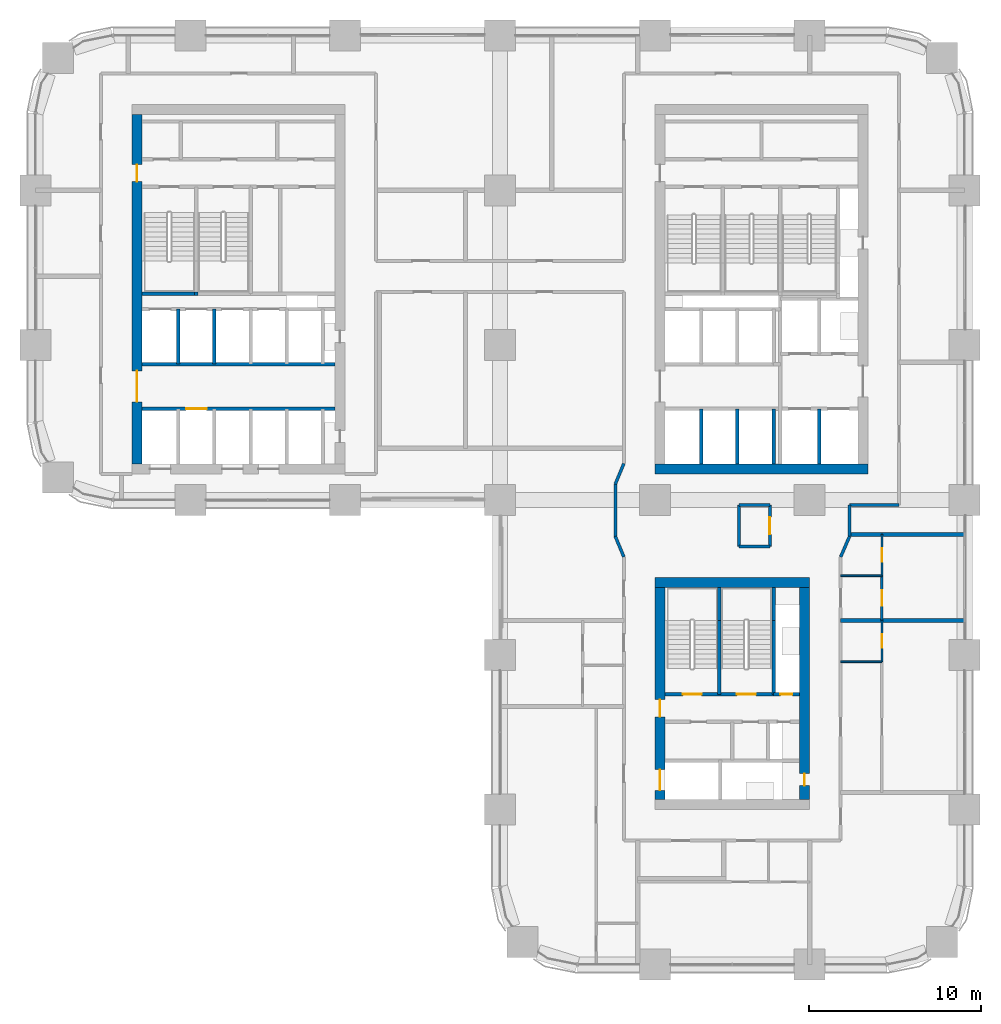
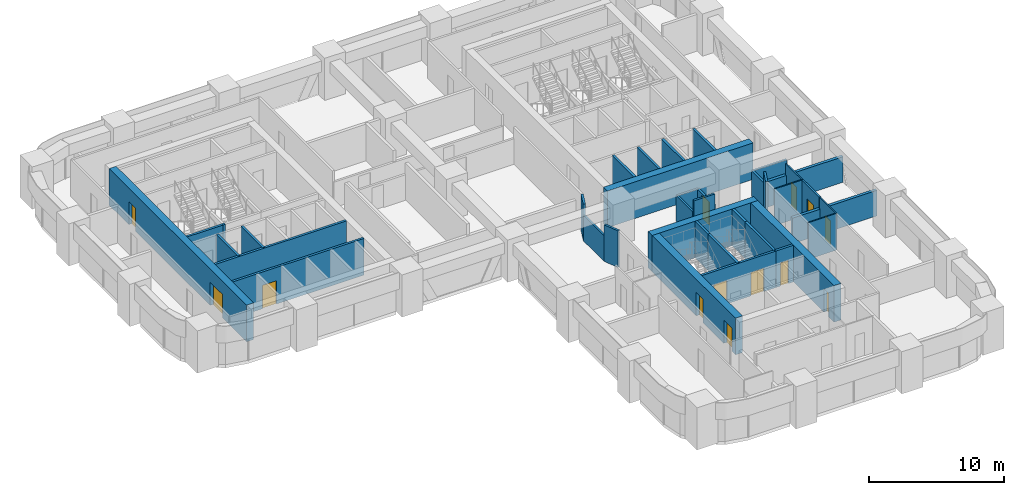
# One storey, part 14 of 20: 38 walls, 13 doors, 13 openings.
"""IFC4 building model written with IfcOpenShell, lengths in metres."""

from ifc_helpers import new_model, si_unit, direction, frame, frame_2d, origin, place, context, subcontext, project, spatial, rectangle, extrude, material, layer, layer_set, type_object, element, fill, save


model = new_model("IFC4")

# Units and contexts
model_context = context("Model", 3, precision=1e-05, world=origin(), true_north=direction((0.0, 1.0)))
body_context = subcontext(model_context, "Body", "Model", "MODEL_VIEW")
ifc_project = project(units=[si_unit("LENGTHUNIT", "METRE"), si_unit("AREAUNIT", "SQUARE_METRE"), si_unit("VOLUMEUNIT", "CUBIC_METRE"), si_unit("PLANEANGLEUNIT", "RADIAN"), si_unit("MASSUNIT", "GRAM", prefix="KILO")], contexts=[model_context])

# Site, building, storey
site_placement = place(None, origin())
site = spatial("IfcSite", under=ifc_project, at=site_placement, CompositionType="ELEMENT")
building_placement = place(site_placement, origin())
building = spatial("IfcBuilding", under=site, at=building_placement, Name="Tessera Arch", CompositionType="ELEMENT")
storey_placement = place(building_placement, frame((0.0, 0.0, 119.60009765625)))
storey = spatial("IfcBuildingStorey", under=building, at=storey_placement, Name="L28", CompositionType="ELEMENT", Elevation=119.60009765625)

# Wall
ifc_material_1 = material(Name="Concrete C70/85", Category="concrete")
ifc_layer_1 = layer(ifc_material_1, 0.60009765625)
ifc_layer_set_1 = layer_set([ifc_layer_1], Name="Core shell wall 600 C70-85")
wall_type_1 = type_object("IfcWallType", Name="Core shell wall 600 C70-85", PredefinedType="SHEAR", material=ifc_layer_set_1)
wall_1_placement = place(storey_placement, frame((36.0, 28.800048828125, 0.0), z_axis=(0.0, 0.0, 1.0), x_axis=(1.0, 0.0, 0.0)))
element("IfcWall", 1, at=wall_1_placement, inside=storey, type_object=wall_type_1, Name="L28 C1 core wall S", PredefinedType="SHEAR", context=body_context, shape_type="SweptSolid", body=[
    extrude(rectangle(XDim=12.39990234375, YDim=0.60009765625, at=frame_2d((6.199951171875, 0.0))), origin(), (0.0, 0.0, 1.0), 3.2998046875),
])

# Wall, openings, doors
wall_2_placement = place(storey_placement, frame((5.89990234375, 29.10009765625, 0.0), z_axis=(0.0, 0.0, 1.0), x_axis=(0.0, 1.0, 0.0)))
wall_2 = element("IfcWall", 2, at=wall_2_placement, inside=storey, type_object=wall_type_1, Name="L28 C2 core wall W", PredefinedType="SHEAR", context=body_context, shape_type="SweptSolid", body=[
    extrude(rectangle(XDim=20.2998046875, YDim=0.60009765625, at=frame_2d((10.14990234375, 0.0))), origin(), (0.0, 0.0, 1.0), 3.2998046875),
])
opening_1_placement = place(wall_2_placement, frame((3.60009765625, 0.0, 0.0)))
opening_1 = element("IfcOpeningElement", 3, at=opening_1_placement, cuts=wall_2, Name="Opening L28-C24", PredefinedType="OPENING", context=body_context, shape_type="SweptSolid", body=[
    extrude(rectangle(XDim=1.800048828125, YDim=2.10009765625, at=frame_2d((0.89990234375, 1.050048828125))), frame((0.0, 0.31005859375, 0.0), z_axis=(0.0, -1.0, 0.0), x_axis=(1.0, 0.0, 0.0)), (0.0, 0.0, 1.0), 0.6201171875),
])
opening_2_placement = place(wall_2_placement, frame((16.39990234375, 0.0, 0.0)))
opening_2 = element("IfcOpeningElement", 4, at=opening_2_placement, cuts=wall_2, Name="Opening L28-C27", PredefinedType="OPENING", context=body_context, shape_type="SweptSolid", body=[
    extrude(rectangle(XDim=1.0, YDim=2.10009765625, at=frame_2d((0.5, 1.050048828125))), frame((0.0, 0.31005859375, 0.0), z_axis=(0.0, -1.0, 0.0), x_axis=(1.0, 0.0, 0.0)), (0.0, 0.0, 1.0), 0.6201171875),
])
ifc_material_2 = material(Name="Steel door leaf", Category="steel")
door_type_1 = type_object("IfcDoorType", Name="Corridor door FD60 1000 x 2100", OperationType="SINGLE_SWING_LEFT", PredefinedType="DOOR", material=ifc_material_2)
door_1_placement = place(opening_2_placement, origin())
door_1 = element("IfcDoor", 5, at=door_1_placement, inside=storey, type_object=door_type_1, Name="L28 C2 door 14 C27 type D12", OperationType="SINGLE_SWING_RIGHT", OverallHeight=2.10009765625, OverallWidth=1.0, PredefinedType="DOOR", context=body_context, shape_type="SweptSolid", body=[
    extrude(rectangle(XDim=1.0, YDim=2.10009765625, at=frame_2d((0.5, 1.050048828125))), frame((0.0, 0.02490234375, 0.0), z_axis=(0.0, -1.0, 0.0), x_axis=(1.0, 0.0, 0.0)), (0.0, 0.0, 1.0), 0.050048828125),
])
fill(opening_2, door_1)
ifc_material_3 = material(Name="Glazed steel door leaf", Category="steel")
door_type_2 = type_object("IfcDoorType", Name="Lobby double door FD30S 1800 x 2100", OperationType="DOUBLE_DOOR_SINGLE_SWING", PredefinedType="DOOR", material=ifc_material_3)
door_2_placement = place(opening_1_placement, origin())
door_2 = element("IfcDoor", 6, at=door_2_placement, inside=storey, type_object=door_type_2, Name="L28 C2 door 11 C24 type D06", OperationType="DOUBLE_DOOR_SINGLE_SWING", OverallHeight=2.10009765625, OverallWidth=1.800048828125, PredefinedType="DOOR", context=body_context, shape_type="SweptSolid", body=[
    extrude(rectangle(XDim=1.800048828125, YDim=2.10009765625, at=frame_2d((0.89990234375, 1.050048828125))), frame((0.0, 0.02490234375, 0.0), z_axis=(0.0, -1.0, 0.0), x_axis=(1.0, 0.0, 0.0)), (0.0, 0.0, 1.0), 0.050048828125),
])
fill(opening_1, door_2)

# Wall
wall_3_placement = place(storey_placement, frame((36.0, 22.199951171875, 0.0), z_axis=(0.0, 0.0, 1.0), x_axis=(1.0, 0.0, 0.0)))
element("IfcWall", 7, at=wall_3_placement, inside=storey, type_object=wall_type_1, Name="L28 C3 core wall N", PredefinedType="SHEAR", context=body_context, shape_type="SweptSolid", body=[
    extrude(rectangle(XDim=9.0, YDim=0.60009765625, at=frame_2d((4.5, 0.0))), origin(), (0.0, 0.0, 1.0), 3.2998046875),
])

# Wall, openings, doors
wall_4_placement = place(storey_placement, frame((36.300048828125, 9.60009765625, 0.0), z_axis=(0.0, 0.0, 1.0), x_axis=(0.0, 1.0, 0.0)))
wall_4 = element("IfcWall", 8, at=wall_4_placement, inside=storey, type_object=wall_type_1, Name="L28 C3 core wall W", PredefinedType="SHEAR", context=body_context, shape_type="SweptSolid", body=[
    extrude(rectangle(XDim=12.2998046875, YDim=0.60009765625, at=frame_2d((6.14990234375, 0.0))), origin(), (0.0, 0.0, 1.0), 3.2998046875),
])
opening_3_placement = place(wall_4_placement, frame((0.52490234375, 0.0, 0.0)))
opening_3 = element("IfcOpeningElement", 9, at=opening_3_placement, cuts=wall_4, Name="Opening L28-C33", PredefinedType="OPENING", context=body_context, shape_type="SweptSolid", body=[
    extrude(rectangle(XDim=1.199951171875, YDim=2.10009765625, at=frame_2d((0.60009765625, 1.050048828125))), frame((0.0, 0.31005859375, 0.0), z_axis=(0.0, -1.0, 0.0), x_axis=(1.0, 0.0, 0.0)), (0.0, 0.0, 1.0), 0.6201171875),
])
opening_4_placement = place(wall_4_placement, frame((4.800048828125, 0.0, 0.0)))
opening_4 = element("IfcOpeningElement", 10, at=opening_4_placement, cuts=wall_4, Name="Opening L28-C39", PredefinedType="OPENING", context=body_context, shape_type="SweptSolid", body=[
    extrude(rectangle(XDim=1.0, YDim=2.10009765625, at=frame_2d((0.5, 1.050048828125))), frame((0.0, 0.31005859375, 0.0), z_axis=(0.0, -1.0, 0.0), x_axis=(1.0, 0.0, 0.0)), (0.0, 0.0, 1.0), 0.6201171875),
])
door_3_placement = place(opening_4_placement, origin())
door_3 = element("IfcDoor", 11, at=door_3_placement, inside=storey, type_object=door_type_1, Name="L28 C3 door 7 C39 type D12", OperationType="SINGLE_SWING_LEFT", OverallHeight=2.10009765625, OverallWidth=1.0, PredefinedType="DOOR", context=body_context, shape_type="SweptSolid", body=[
    extrude(rectangle(XDim=1.0, YDim=2.10009765625, at=frame_2d((0.5, 1.050048828125))), frame((0.0, 0.02490234375, 0.0), z_axis=(0.0, -1.0, 0.0), x_axis=(1.0, 0.0, 0.0)), (0.0, 0.0, 1.0), 0.050048828125),
])
fill(opening_4, door_3)
ifc_material_4 = material(Name="Stainless steel AISI 304", Category="steel")
door_type_3 = type_object("IfcDoorType", Name="Sliding landing door 1200 x 2100", OperationType="SLIDING_TO_LEFT", PredefinedType="DOOR", material=ifc_material_4)
door_4_placement = place(opening_3_placement, origin())
door_4 = element("IfcDoor", 12, at=door_4_placement, inside=storey, type_object=door_type_3, Name="L28 SV1 lift landing door C33 type LD", OperationType="SLIDING_TO_LEFT", OverallHeight=2.10009765625, OverallWidth=1.199951171875, PredefinedType="DOOR", context=body_context, shape_type="SweptSolid", body=[
    extrude(rectangle(XDim=1.199951171875, YDim=2.10009765625, at=frame_2d((0.60009765625, 1.050048828125))), frame((0.0, 0.02490234375, 0.0), z_axis=(0.0, -1.0, 0.0), x_axis=(1.0, 0.0, 0.0)), (0.0, 0.0, 1.0), 0.050048828125),
])
fill(opening_3, door_4)

# Wall, opening, door
wall_5_placement = place(storey_placement, frame((44.699951171875, 9.60009765625, 0.0), z_axis=(0.0, 0.0, 1.0), x_axis=(0.0, 1.0, 0.0)))
wall_5 = element("IfcWall", 13, at=wall_5_placement, inside=storey, type_object=wall_type_1, Name="L28 C3 core wall E", PredefinedType="SHEAR", context=body_context, shape_type="SweptSolid", body=[
    extrude(rectangle(XDim=12.2998046875, YDim=0.60009765625, at=frame_2d((6.14990234375, 0.0))), origin(), (0.0, 0.0, 1.0), 3.2998046875),
])
opening_5_placement = place(wall_5_placement, frame((0.800048828125, 0.0, 0.0)))
opening_5 = element("IfcOpeningElement", 14, at=opening_5_placement, cuts=wall_5, Name="Opening L28-C38", PredefinedType="OPENING", context=body_context, shape_type="SweptSolid", body=[
    extrude(rectangle(XDim=0.699951171875, YDim=2.10009765625, at=frame_2d((0.35009765625, 1.050048828125))), frame((0.0, 0.31005859375, 0.0), z_axis=(0.0, -1.0, 0.0), x_axis=(1.0, 0.0, 0.0)), (0.0, 0.0, 1.0), 0.6201171875),
])
ifc_material_5 = material(Name="Steel door leaf", Category="steel")
door_type_4 = type_object("IfcDoorType", Name="Service shaft door FD60 700 x 2100", OperationType="SINGLE_SWING_LEFT", PredefinedType="DOOR", material=ifc_material_5)
door_5_placement = place(opening_5_placement, origin())
door_5 = element("IfcDoor", 15, at=door_5_placement, inside=storey, type_object=door_type_4, Name="L28 C3 door 6 C38 type D07", OperationType="SINGLE_SWING_LEFT", OverallHeight=2.10009765625, OverallWidth=0.699951171875, PredefinedType="DOOR", context=body_context, shape_type="SweptSolid", body=[
    extrude(rectangle(XDim=0.699951171875, YDim=2.10009765625, at=frame_2d((0.35009765625, 1.050048828125))), frame((0.0, 0.02490234375, 0.0), z_axis=(0.0, -1.0, 0.0), x_axis=(1.0, 0.0, 0.0)), (0.0, 0.0, 1.0), 0.050048828125),
])
fill(opening_5, door_5)

# Walls
ifc_material_6 = material(Name="Gypsum board on deep steel stud with mineral wool", Category="steel")
ifc_layer_2 = layer(ifc_material_6, 0.175048828125)
ifc_layer_set_2 = layer_set([ifc_layer_2], Name="Corridor wall 175 EI 60")
wall_type_2 = type_object("IfcWallType", Name="Corridor wall 175 EI 60", PredefinedType="PARTITIONING", material=ifc_layer_set_2)
wall_6_placement = place(storey_placement, frame((40.89990234375, 24.300048828125, 0.0), z_axis=(0.0, 0.0, 1.0), x_axis=(1.0, 0.0, 0.0)))
element("IfcWall", 16, at=wall_6_placement, inside=storey, type_object=wall_type_2, Name="L28 partition 2", PredefinedType="PARTITIONING", context=body_context, shape_type="SweptSolid", body=[
    extrude(rectangle(XDim=1.780029296875, YDim=0.175048828125, at=frame_2d((0.89013671875, 0.0))), origin(), (0.0, 0.0, 1.0), 3.2998046875),
])
wall_7_placement = place(storey_placement, frame((40.89990234375, 26.699951171875, 0.0), z_axis=(0.0, 0.0, 1.0), x_axis=(1.0, 0.0, 0.0)))
element("IfcWall", 17, at=wall_7_placement, inside=storey, type_object=wall_type_2, Name="L28 partition 3", PredefinedType="PARTITIONING", context=body_context, shape_type="SweptSolid", body=[
    extrude(rectangle(XDim=1.780029296875, YDim=0.175048828125, at=frame_2d((0.89013671875, 0.0))), origin(), (0.0, 0.0, 1.0), 2.2998046875),
])
wall_8_placement = place(storey_placement, frame((47.320068359375, 26.699951171875, 0.0), z_axis=(0.0, 0.0, 1.0), x_axis=(1.0, 0.0, 0.0)))
element("IfcWall", 18, at=wall_8_placement, inside=storey, type_object=wall_type_2, Name="L28 partition 4", PredefinedType="PARTITIONING", context=body_context, shape_type="SweptSolid", body=[
    extrude(rectangle(XDim=2.8798828125, YDim=0.175048828125, at=frame_2d((1.43994140625, 0.0))), origin(), (0.0, 0.0, 1.0), 2.2998046875),
])
wall_9_placement = place(storey_placement, frame((33.699951171875, 24.889892578125, 0.0), z_axis=(0.0, 0.0, 1.0), x_axis=(0.0, 1.0, 0.0)))
element("IfcWall", 19, at=wall_9_placement, inside=storey, type_object=wall_type_2, Name="L28 partition 14", PredefinedType="PARTITIONING", context=body_context, shape_type="SweptSolid", body=[
    extrude(rectangle(XDim=3.030029296875, YDim=0.175048828125, at=frame_2d((1.51513671875, 0.0))), origin(), (0.0, 0.0, 1.0), 2.2998046875),
])
wall_10_placement = place(storey_placement, frame((40.89990234375, 24.300048828125, 0.0), z_axis=(0.0, 0.0, 1.0), x_axis=(0.0, 1.0, 0.0)))
element("IfcWall", 20, at=wall_10_placement, inside=storey, type_object=wall_type_2, Name="L28 partition 18", PredefinedType="PARTITIONING", context=body_context, shape_type="SweptSolid", body=[
    extrude(rectangle(XDim=2.39990234375, YDim=0.175048828125, at=frame_2d((1.199951171875, 0.0))), origin(), (0.0, 0.0, 1.0), 2.2998046875),
])

# Wall, opening, door
wall_11_placement = place(storey_placement, frame((42.679931640625, 24.300048828125, 0.0), z_axis=(0.0, 0.0, 1.0), x_axis=(0.0, 1.0, 0.0)))
wall_11 = element("IfcWall", 21, at=wall_11_placement, inside=storey, type_object=wall_type_2, Name="L28 partition 19", PredefinedType="PARTITIONING", context=body_context, shape_type="SweptSolid", body=[
    extrude(rectangle(XDim=2.39990234375, YDim=0.175048828125, at=frame_2d((1.199951171875, 0.0))), origin(), (0.0, 0.0, 1.0), 2.2998046875),
])
opening_6_placement = place(wall_11_placement, frame((0.699951171875, 0.0, 0.0)))
opening_6 = element("IfcOpeningElement", 22, at=opening_6_placement, cuts=wall_11, Name="Opening L28-D018", PredefinedType="OPENING", context=body_context, shape_type="SweptSolid", body=[
    extrude(rectangle(XDim=1.0, YDim=2.10009765625, at=frame_2d((0.5, 1.050048828125))), frame((0.0, 0.097412109375, 0.0), z_axis=(0.0, -1.0, 0.0), x_axis=(1.0, 0.0, 0.0)), (0.0, 0.0, 1.0), 0.195068359375),
])
ifc_material_7 = material(Name="Fire-rated door leaf")
door_type_5 = type_object("IfcDoorType", Name="Entrance door FD30S 1000 x 2100", OperationType="SINGLE_SWING_LEFT", PredefinedType="DOOR", material=ifc_material_7)
door_6_placement = place(opening_6_placement, origin())
door_6 = element("IfcDoor", 23, at=door_6_placement, inside=storey, type_object=door_type_5, Name="L28 door D018 type D03", OperationType="SINGLE_SWING_RIGHT", OverallHeight=2.10009765625, OverallWidth=1.0, PredefinedType="DOOR", context=body_context, shape_type="SweptSolid", body=[
    extrude(rectangle(XDim=1.0, YDim=2.10009765625, at=frame_2d((0.5, 1.050048828125))), frame((0.0, 0.02490234375, 0.0), z_axis=(0.0, -1.0, 0.0), x_axis=(1.0, 0.0, 0.0)), (0.0, 0.0, 1.0), 0.050048828125),
])
fill(opening_6, door_6)

# Walls
wall_12_placement = place(storey_placement, frame((47.320068359375, 24.889892578125, 0.0), z_axis=(0.0, 0.0, 1.0), x_axis=(0.0, 1.0, 0.0)))
element("IfcWall", 24, at=wall_12_placement, inside=storey, type_object=wall_type_2, Name="L28 partition 21", PredefinedType="PARTITIONING", context=body_context, shape_type="SweptSolid", body=[
    extrude(rectangle(XDim=1.81005859375, YDim=0.175048828125, at=frame_2d((0.905029296875, 0.0))), origin(), (0.0, 0.0, 1.0), 2.2998046875),
])
wall_13_placement = place(storey_placement, frame((47.320068359375, 24.889892578125, 0.0), z_axis=(0.0, 0.0, 1.0), x_axis=(-0.397633632391, -0.917544273804, 0.0)))
element("IfcWall", 25, at=wall_13_placement, inside=storey, type_object=wall_type_2, Name="L28 partition 62", PredefinedType="PARTITIONING", context=body_context, shape_type="SweptSolid", body=[
    extrude(rectangle(XDim=1.307861328125, YDim=0.175048828125, at=frame_2d((0.65380859375, 0.0))), origin(), (0.0, 0.0, 1.0), 3.2998046875),
])
wall_14_placement = place(storey_placement, frame((34.199951171875, 23.68994140625, 0.0), z_axis=(0.0, 0.0, 1.0), x_axis=(-0.384628719983, 0.923071366561, 0.0)))
element("IfcWall", 26, at=wall_14_placement, inside=storey, type_object=wall_type_2, Name="L28 partition 63", PredefinedType="PARTITIONING", context=body_context, shape_type="SweptSolid", body=[
    extrude(rectangle(XDim=1.300048828125, YDim=0.175048828125, at=frame_2d((0.64990234375, 0.0))), origin(), (0.0, 0.0, 1.0), 3.2998046875),
])
wall_15_placement = place(storey_placement, frame((33.699951171875, 27.919921875, 0.0), z_axis=(0.0, 0.0, 1.0), x_axis=(0.384562051588, 0.923099143363, 0.0)))
element("IfcWall", 27, at=wall_15_placement, inside=storey, type_object=wall_type_2, Name="L28 partition 64", PredefinedType="PARTITIONING", context=body_context, shape_type="SweptSolid", body=[
    extrude(rectangle(XDim=1.30029296875, YDim=0.175048828125, at=frame_2d((0.650146484375, 0.0))), origin(), (0.0, 0.0, 1.0), 3.2998046875),
])

# Wall, opening, door
ifc_material_8 = material(Name="Gypsum board on steel stud", Category="steel")
ifc_layer_3 = layer(ifc_material_8, 0.14990234375)
ifc_layer_set_3 = layer_set([ifc_layer_3], Name="Partition 150")
wall_type_3 = type_object("IfcWallType", Name="Partition 150", PredefinedType="PARTITIONING", material=ifc_layer_set_3)
wall_16_placement = place(storey_placement, frame((49.199951171875, 20.0, 0.0), z_axis=(0.0, 0.0, 1.0), x_axis=(0.0, 1.0, 0.0)))
wall_16 = element("IfcWall", 28, at=wall_16_placement, inside=storey, type_object=wall_type_3, Name="L28 partition 27", PredefinedType="PARTITIONING", context=body_context, shape_type="SweptSolid", body=[
    extrude(rectangle(XDim=2.60009765625, YDim=0.14990234375, at=frame_2d((1.300048828125, 0.0))), origin(), (0.0, 0.0, 1.0), 3.2998046875),
])
opening_7_placement = place(wall_16_placement, frame((0.85009765625, 0.0, 0.0)))
opening_7 = element("IfcOpeningElement", 29, at=opening_7_placement, cuts=wall_16, Name="Opening L28-D016", PredefinedType="OPENING", context=body_context, shape_type="SweptSolid", body=[
    extrude(rectangle(XDim=0.89990234375, YDim=2.10009765625, at=frame_2d((0.449951171875, 1.050048828125))), frame((0.0, 0.0849609375, 0.0), z_axis=(0.0, -1.0, 0.0), x_axis=(1.0, 0.0, 0.0)), (0.0, 0.0, 1.0), 0.169921875),
])
ifc_material_9 = material(Name="Timber door leaf", Category="wood")
door_type_6 = type_object("IfcDoorType", Name="Room door 900 x 2100", OperationType="SINGLE_SWING_LEFT", PredefinedType="DOOR", material=ifc_material_9)
door_7_placement = place(opening_7_placement, origin())
door_7 = element("IfcDoor", 30, at=door_7_placement, inside=storey, type_object=door_type_6, Name="L28 door D016 type D01", OperationType="SINGLE_SWING_LEFT", OverallHeight=2.10009765625, OverallWidth=0.89990234375, PredefinedType="DOOR", context=body_context, shape_type="SweptSolid", body=[
    extrude(rectangle(XDim=0.89990234375, YDim=2.10009765625, at=frame_2d((0.449951171875, 1.050048828125))), frame((0.0, 0.02490234375, 0.0), z_axis=(0.0, -1.0, 0.0), x_axis=(1.0, 0.0, 0.0)), (0.0, 0.0, 1.0), 0.050048828125),
])
fill(opening_7, door_7)

# Walls
ifc_material_10 = material(Name="Double gypsum board on twin steel stud with acoustic mineral wool", Category="steel")
ifc_layer_4 = layer(ifc_material_10, 0.25)
ifc_layer_set_4 = layer_set([ifc_layer_4], Name="Party wall 250 EI 60")
wall_type_4 = type_object("IfcWallType", Name="Party wall 250 EI 60", PredefinedType="PARTITIONING", material=ifc_layer_set_4)
wall_17_placement = place(storey_placement, frame((46.800048828125, 20.0, 0.0), z_axis=(0.0, 0.0, 1.0), x_axis=(1.0, 0.0, 0.0)))
element("IfcWall", 31, at=wall_17_placement, inside=storey, type_object=wall_type_4, Name="L28 partition 32", PredefinedType="PARTITIONING", context=body_context, shape_type="SweptSolid", body=[
    extrude(rectangle(XDim=7.199951171875, YDim=0.25, at=frame_2d((3.60009765625, 0.0))), origin(), (0.0, 0.0, 1.0), 2.2998046875),
])
wall_18_placement = place(storey_placement, frame((47.320068359375, 25.0, 0.0), z_axis=(0.0, 0.0, 1.0), x_axis=(1.0, 0.0, 0.0)))
element("IfcWall", 32, at=wall_18_placement, inside=storey, type_object=wall_type_4, Name="L28 partition 33", PredefinedType="PARTITIONING", context=body_context, shape_type="SweptSolid", body=[
    extrude(rectangle(XDim=6.679931640625, YDim=0.25, at=frame_2d((3.33984375, 0.0))), origin(), (0.0, 0.0, 1.0), 2.2998046875),
])
ifc_material_11 = material(Name="Concrete C40/50", Category="concrete")
ifc_layer_5 = layer(ifc_material_11, 0.199951171875)
ifc_layer_set_5 = layer_set([ifc_layer_5], Name="Shaft wall 200 EI 120")
wall_type_5 = type_object("IfcWallType", Name="Shaft wall 200 EI 120", PredefinedType="SOLIDWALL", material=ifc_layer_set_5)
for number, where, z_axis, x_axis, name in (
    (33, (38.699951171875, 29.10009765625, 0.0), (0.0, 0.0, 1.0), (0.0, 1.0, 0.0), "L28 C1 shaft wall 1"),
    (34, (40.800048828125, 29.10009765625, 0.0), (0.0, 0.0, 1.0), (0.0, 1.0, 0.0), "L28 C1 shaft wall 5"),
    (35, (42.89990234375, 29.10009765625, 0.0), (0.0, 0.0, 1.0), (0.0, 1.0, 0.0), "L28 C1 shaft wall 8"),
    (36, (45.550048828125, 29.10009765625, 0.0), (0.0, 0.0, 1.0), (0.0, 1.0, 0.0), "L28 C1 shaft wall 13"),
):
    element("IfcWall", number, at=place(storey_placement, frame(where, z_axis=z_axis, x_axis=x_axis)), inside=storey, type_object=wall_type_5, Name=name, PredefinedType="SOLIDWALL", context=body_context, shape_type="SweptSolid", body=[
        extrude(rectangle(XDim=3.199951171875, YDim=0.199951171875, at=frame_2d((1.60009765625, 0.0))), origin(), (0.0, 0.0, 1.0), 3.2998046875),
    ])
for number, where, z_axis, x_axis, name in (
    (37, (8.300048828125, 34.89990234375, 0.0), (0.0, 0.0, 1.0), (0.0, 1.0, 0.0), "L28 C2 shaft wall 2"),
    (38, (10.39990234375, 34.89990234375, 0.0), (0.0, 0.0, 1.0), (0.0, 1.0, 0.0), "L28 C2 shaft wall 7"),
):
    element("IfcWall", number, at=place(storey_placement, frame(where, z_axis=z_axis, x_axis=x_axis)), inside=storey, type_object=wall_type_5, Name=name, PredefinedType="SOLIDWALL", context=body_context, shape_type="SweptSolid", body=[
        extrude(rectangle(XDim=3.2001953125, YDim=0.199951171875, at=frame_2d((1.60009765625, 0.0))), origin(), (0.0, 0.0, 1.0), 3.2998046875),
    ])

# Wall, opening, door
wall_19_placement = place(storey_placement, frame((6.199951171875, 32.300048828125, 0.0), z_axis=(0.0, 0.0, 1.0), x_axis=(1.0, 0.0, 0.0)))
wall_19 = element("IfcWall", 39, at=wall_19_placement, inside=storey, type_object=wall_type_5, Name="L28 C2 shaft wall 18", PredefinedType="SOLIDWALL", context=body_context, shape_type="SweptSolid", body=[
    extrude(rectangle(XDim=11.199951171875, YDim=0.199951171875, at=frame_2d((5.60009765625, 0.0))), origin(), (0.0, 0.0, 1.0), 3.2998046875),
])
opening_8_placement = place(wall_19_placement, frame((2.550048828125, 0.0, 0.0)))
opening_8 = element("IfcOpeningElement", 40, at=opening_8_placement, cuts=wall_19, Name="Opening L28-C15", PredefinedType="OPENING", context=body_context, shape_type="SweptSolid", body=[
    extrude(rectangle(XDim=1.199951171875, YDim=2.10009765625, at=frame_2d((0.60009765625, 1.050048828125))), frame((0.0, 0.10986328125, 0.0), z_axis=(0.0, -1.0, 0.0), x_axis=(1.0, 0.0, 0.0)), (0.0, 0.0, 1.0), 0.219970703125),
])
door_8_placement = place(opening_8_placement, origin())
door_8 = element("IfcDoor", 41, at=door_8_placement, inside=storey, type_object=door_type_3, Name="L28 LR2 lift landing door C15 type LD", OperationType="SLIDING_TO_LEFT", OverallHeight=2.10009765625, OverallWidth=1.199951171875, PredefinedType="DOOR", context=body_context, shape_type="SweptSolid", body=[
    extrude(rectangle(XDim=1.199951171875, YDim=2.10009765625, at=frame_2d((0.60009765625, 1.050048828125))), frame((0.0, 0.02490234375, 0.0), z_axis=(0.0, -1.0, 0.0), x_axis=(1.0, 0.0, 0.0)), (0.0, 0.0, 1.0), 0.050048828125),
])
fill(opening_8, door_8)

# Wall
wall_20_placement = place(storey_placement, frame((6.199951171875, 34.89990234375, 0.0), z_axis=(0.0, 0.0, 1.0), x_axis=(1.0, 0.0, 0.0)))
element("IfcWall", 42, at=wall_20_placement, inside=storey, type_object=wall_type_5, Name="L28 C2 shaft wall 19", PredefinedType="SOLIDWALL", context=body_context, shape_type="SweptSolid", body=[
    extrude(rectangle(XDim=11.199951171875, YDim=0.199951171875, at=frame_2d((5.60009765625, 0.0))), origin(), (0.0, 0.0, 1.0), 3.2998046875),
])

# Wall, opening, door
wall_21_placement = place(storey_placement, frame((42.89990234375, 15.699951171875, 0.0), z_axis=(0.0, 0.0, 1.0), x_axis=(1.0, 0.0, 0.0)))
wall_21 = element("IfcWall", 43, at=wall_21_placement, inside=storey, type_object=wall_type_5, Name="L28 C3 shaft wall 11", PredefinedType="SOLIDWALL", context=body_context, shape_type="SweptSolid", body=[
    extrude(rectangle(XDim=1.5, YDim=0.199951171875, at=frame_2d((0.75, 0.0))), origin(), (0.0, 0.0, 1.0), 3.2998046875),
])
opening_9_placement = place(wall_21_placement, frame((0.39990234375, 0.0, 0.0)))
opening_9 = element("IfcOpeningElement", 44, at=opening_9_placement, cuts=wall_21, Name="Opening L28-C36", PredefinedType="OPENING", context=body_context, shape_type="SweptSolid", body=[
    extrude(rectangle(XDim=0.699951171875, YDim=2.10009765625, at=frame_2d((0.35009765625, 1.050048828125))), frame((0.0, 0.10986328125, 0.0), z_axis=(0.0, -1.0, 0.0), x_axis=(1.0, 0.0, 0.0)), (0.0, 0.0, 1.0), 0.219970703125),
])
door_9_placement = place(opening_9_placement, origin())
door_9 = element("IfcDoor", 45, at=door_9_placement, inside=storey, type_object=door_type_4, Name="L28 C3 door 4 C36 type D07", OperationType="SINGLE_SWING_LEFT", OverallHeight=2.10009765625, OverallWidth=0.699951171875, PredefinedType="DOOR", context=body_context, shape_type="SweptSolid", body=[
    extrude(rectangle(XDim=0.699951171875, YDim=2.10009765625, at=frame_2d((0.35009765625, 1.050048828125))), frame((0.0, 0.02490234375, 0.0), z_axis=(0.0, -1.0, 0.0), x_axis=(1.0, 0.0, 0.0)), (0.0, 0.0, 1.0), 0.050048828125),
])
fill(opening_9, door_9)

# Walls
ifc_material_12 = material(Name="Concrete C40/50", Category="concrete")
ifc_layer_6 = layer(ifc_material_12, 0.199951171875)
ifc_layer_set_6 = layer_set([ifc_layer_6], Name="Stair well wall 200 REI 180")
wall_type_6 = type_object("IfcWallType", Name="Stair well wall 200 REI 180", PredefinedType="SOLIDWALL", material=ifc_layer_set_6)
wall_22_placement = place(storey_placement, frame((6.199951171875, 39.0, 0.0), z_axis=(0.0, 0.0, 1.0), x_axis=(1.0, 0.0, 0.0)))
element("IfcWall", 46, at=wall_22_placement, inside=storey, type_object=wall_type_6, Name="L28 C2 shaft wall 22", PredefinedType="SOLIDWALL", context=body_context, shape_type="SweptSolid", body=[
    extrude(rectangle(XDim=3.050048828125, YDim=0.199951171875, at=frame_2d((1.52490234375, 0.0))), origin(), (0.0, 0.0, 1.0), 3.2998046875),
])
wall_23_placement = place(storey_placement, frame((9.25, 39.0, 0.0), z_axis=(0.0, 0.0, 1.0), x_axis=(1.0, 0.0, 0.0)))
element("IfcWall", 47, at=wall_23_placement, inside=storey, type_object=wall_type_6, Name="L28 C2 shaft wall 23", PredefinedType="SOLIDWALL", context=body_context, shape_type="SweptSolid", body=[
    extrude(rectangle(XDim=0.199951171875, YDim=0.199951171875, at=frame_2d((0.10009765625, 0.0))), origin(), (0.0, 0.0, 1.0), 3.2998046875),
])
wall_24_placement = place(storey_placement, frame((39.75, 15.699951171875, 0.0), z_axis=(0.0, 0.0, 1.0), x_axis=(0.0, 1.0, 0.0)))
element("IfcWall", 48, at=wall_24_placement, inside=storey, type_object=wall_type_6, Name="L28 C3 shaft wall 1", PredefinedType="SOLIDWALL", context=body_context, shape_type="SweptSolid", body=[
    extrude(rectangle(XDim=4.300048828125, YDim=0.199951171875, at=frame_2d((2.14990234375, 0.0))), origin(), (0.0, 0.0, 1.0), 3.2998046875),
])
wall_25_placement = place(storey_placement, frame((39.75, 20.0, 0.0), z_axis=(0.0, 0.0, 1.0), x_axis=(0.0, 1.0, 0.0)))
element("IfcWall", 49, at=wall_25_placement, inside=storey, type_object=wall_type_6, Name="L28 C3 shaft wall 2", PredefinedType="SOLIDWALL", context=body_context, shape_type="SweptSolid", body=[
    extrude(rectangle(XDim=1.89990234375, YDim=0.199951171875, at=frame_2d((0.949951171875, 0.0))), origin(), (0.0, 0.0, 1.0), 3.2998046875),
])
wall_26_placement = place(storey_placement, frame((42.89990234375, 15.699951171875, 0.0), z_axis=(0.0, 0.0, 1.0), x_axis=(0.0, 1.0, 0.0)))
element("IfcWall", 50, at=wall_26_placement, inside=storey, type_object=wall_type_6, Name="L28 C3 shaft wall 6", PredefinedType="SOLIDWALL", context=body_context, shape_type="SweptSolid", body=[
    extrude(rectangle(XDim=4.300048828125, YDim=0.199951171875, at=frame_2d((2.14990234375, 0.0))), origin(), (0.0, 0.0, 1.0), 3.2998046875),
])
wall_27_placement = place(storey_placement, frame((42.89990234375, 20.0, 0.0), z_axis=(0.0, 0.0, 1.0), x_axis=(0.0, 1.0, 0.0)))
element("IfcWall", 51, at=wall_27_placement, inside=storey, type_object=wall_type_6, Name="L28 C3 shaft wall 7", PredefinedType="SOLIDWALL", context=body_context, shape_type="SweptSolid", body=[
    extrude(rectangle(XDim=1.89990234375, YDim=0.199951171875, at=frame_2d((0.949951171875, 0.0))), origin(), (0.0, 0.0, 1.0), 3.2998046875),
])

# Wall, openings, doors
wall_28_placement = place(storey_placement, frame((36.60009765625, 15.699951171875, 0.0), z_axis=(0.0, 0.0, 1.0), x_axis=(1.0, 0.0, 0.0)))
wall_28 = element("IfcWall", 52, at=wall_28_placement, inside=storey, type_object=wall_type_6, Name="L28 C3 shaft wall 12", PredefinedType="SOLIDWALL", context=body_context, shape_type="SweptSolid", body=[
    extrude(rectangle(XDim=6.2998046875, YDim=0.199951171875, at=frame_2d((3.14990234375, 0.0))), origin(), (0.0, 0.0, 1.0), 3.2998046875),
])
opening_10_placement = place(wall_28_placement, frame((1.02490234375, 0.0, 0.0)))
opening_10 = element("IfcOpeningElement", 53, at=opening_10_placement, cuts=wall_28, Name="Opening L28-C34", PredefinedType="OPENING", context=body_context, shape_type="SweptSolid", body=[
    extrude(rectangle(XDim=1.10009765625, YDim=2.10009765625, at=frame_2d((0.550048828125, 1.050048828125))), frame((0.0, 0.10986328125, 0.0), z_axis=(0.0, -1.0, 0.0), x_axis=(1.0, 0.0, 0.0)), (0.0, 0.0, 1.0), 0.219970703125),
])
opening_11_placement = place(wall_28_placement, frame((4.175048828125, 0.0, 0.0)))
opening_11 = element("IfcOpeningElement", 54, at=opening_11_placement, cuts=wall_28, Name="Opening L28-C35", PredefinedType="OPENING", context=body_context, shape_type="SweptSolid", body=[
    extrude(rectangle(XDim=1.10009765625, YDim=2.10009765625, at=frame_2d((0.550048828125, 1.050048828125))), frame((0.0, 0.10986328125, 0.0), z_axis=(0.0, -1.0, 0.0), x_axis=(1.0, 0.0, 0.0)), (0.0, 0.0, 1.0), 0.219970703125),
])
ifc_material_13 = material(Name="Steel door leaf", Category="steel")
door_type_7 = type_object("IfcDoorType", Name="Stair door FD60 1100 x 2100", OperationType="SINGLE_SWING_LEFT", PredefinedType="DOOR", material=ifc_material_13)
door_10_placement = place(opening_10_placement, origin())
door_10 = element("IfcDoor", 55, at=door_10_placement, inside=storey, type_object=door_type_7, Name="L28 C3 door 2 C34 type D05", OperationType="SINGLE_SWING_LEFT", OverallHeight=2.10009765625, OverallWidth=1.10009765625, PredefinedType="DOOR", context=body_context, shape_type="SweptSolid", body=[
    extrude(rectangle(XDim=1.10009765625, YDim=2.10009765625, at=frame_2d((0.550048828125, 1.050048828125))), frame((0.0, 0.02490234375, 0.0), z_axis=(0.0, -1.0, 0.0), x_axis=(1.0, 0.0, 0.0)), (0.0, 0.0, 1.0), 0.050048828125),
])
fill(opening_10, door_10)
door_11_placement = place(opening_11_placement, origin())
door_11 = element("IfcDoor", 56, at=door_11_placement, inside=storey, type_object=door_type_7, Name="L28 C3 door 3 C35 type D05", OperationType="SINGLE_SWING_RIGHT", OverallHeight=2.10009765625, OverallWidth=1.10009765625, PredefinedType="DOOR", context=body_context, shape_type="SweptSolid", body=[
    extrude(rectangle(XDim=1.10009765625, YDim=2.10009765625, at=frame_2d((0.550048828125, 1.050048828125))), frame((0.0, 0.02490234375, 0.0), z_axis=(0.0, -1.0, 0.0), x_axis=(1.0, 0.0, 0.0)), (0.0, 0.0, 1.0), 0.050048828125),
])
fill(opening_11, door_11)

# Walls
ifc_material_14 = material(Name="Moisture-resistant board on pre-plumbed steel stud", Category="steel")
ifc_layer_7 = layer(ifc_material_14, 0.10009765625)
ifc_layer_set_7 = layer_set([ifc_layer_7], Name="Wet wall 100")
wall_type_7 = type_object("IfcWallType", Name="Wet wall 100", PredefinedType="PARTITIONING", material=ifc_layer_set_7)
for number, where, z_axis, x_axis, name in (
    (57, (46.800048828125, 17.60009765625, 0.0), (0.0, 0.0, 1.0), (1.0, 0.0, 0.0), "L28 partition 55"),
    (58, (46.800048828125, 22.60009765625, 0.0), (0.0, 0.0, 1.0), (1.0, 0.0, 0.0), "L28 partition 56"),
):
    element("IfcWall", number, at=place(storey_placement, frame(where, z_axis=z_axis, x_axis=x_axis)), inside=storey, type_object=wall_type_7, Name=name, PredefinedType="PARTITIONING", context=body_context, shape_type="SweptSolid", body=[
        extrude(rectangle(XDim=2.39990234375, YDim=0.10009765625, at=frame_2d((1.199951171875, 0.0))), origin(), (0.0, 0.0, 1.0), 3.2998046875),
    ])

# Wall, opening, door
wall_29_placement = place(storey_placement, frame((49.199951171875, 17.60009765625, 0.0), z_axis=(0.0, 0.0, 1.0), x_axis=(0.0, 1.0, 0.0)))
wall_29 = element("IfcWall", 59, at=wall_29_placement, inside=storey, type_object=wall_type_7, Name="L28 partition 60", PredefinedType="PARTITIONING", context=body_context, shape_type="SweptSolid", body=[
    extrude(rectangle(XDim=2.39990234375, YDim=0.10009765625, at=frame_2d((1.199951171875, 0.0))), origin(), (0.0, 0.0, 1.0), 3.2998046875),
])
opening_12_placement = place(wall_29_placement, frame((0.800048828125, 0.0, 0.0)))
opening_12 = element("IfcOpeningElement", 60, at=opening_12_placement, cuts=wall_29, Name="Opening L28-D011", PredefinedType="OPENING", context=body_context, shape_type="SweptSolid", body=[
    extrude(rectangle(XDim=0.800048828125, YDim=2.10009765625, at=frame_2d((0.39990234375, 1.050048828125))), frame((0.0, 0.06005859375, 0.0), z_axis=(0.0, -1.0, 0.0), x_axis=(1.0, 0.0, 0.0)), (0.0, 0.0, 1.0), 0.1201171875),
])
ifc_material_15 = material(Name="Timber door leaf", Category="wood")
door_type_8 = type_object("IfcDoorType", Name="En-suite door 800 x 2100", OperationType="SINGLE_SWING_LEFT", PredefinedType="DOOR", material=ifc_material_15)
door_12_placement = place(opening_12_placement, origin())
door_12 = element("IfcDoor", 61, at=door_12_placement, inside=storey, type_object=door_type_8, Name="L28 door D011 type D02", OperationType="SINGLE_SWING_RIGHT", OverallHeight=2.10009765625, OverallWidth=0.800048828125, PredefinedType="DOOR", context=body_context, shape_type="SweptSolid", body=[
    extrude(rectangle(XDim=0.800048828125, YDim=2.10009765625, at=frame_2d((0.39990234375, 1.050048828125))), frame((0.0, 0.02490234375, 0.0), z_axis=(0.0, -1.0, 0.0), x_axis=(1.0, 0.0, 0.0)), (0.0, 0.0, 1.0), 0.050048828125),
])
fill(opening_12, door_12)

wall_30_placement = place(storey_placement, frame((49.199951171875, 22.60009765625, 0.0), z_axis=(0.0, 0.0, 1.0), x_axis=(0.0, 1.0, 0.0)))
wall_30 = element("IfcWall", 62, at=wall_30_placement, inside=storey, type_object=wall_type_7, Name="L28 partition 61", PredefinedType="PARTITIONING", context=body_context, shape_type="SweptSolid", body=[
    extrude(rectangle(XDim=2.39990234375, YDim=0.10009765625, at=frame_2d((1.199951171875, 0.0))), origin(), (0.0, 0.0, 1.0), 3.2998046875),
])
opening_13_placement = place(wall_30_placement, frame((0.800048828125, 0.0, 0.0)))
opening_13 = element("IfcOpeningElement", 63, at=opening_13_placement, cuts=wall_30, Name="Opening L28-D017", PredefinedType="OPENING", context=body_context, shape_type="SweptSolid", body=[
    extrude(rectangle(XDim=0.800048828125, YDim=2.10009765625, at=frame_2d((0.39990234375, 1.050048828125))), frame((0.0, 0.06005859375, 0.0), z_axis=(0.0, -1.0, 0.0), x_axis=(1.0, 0.0, 0.0)), (0.0, 0.0, 1.0), 0.1201171875),
])
door_13_placement = place(opening_13_placement, origin())
door_13 = element("IfcDoor", 64, at=door_13_placement, inside=storey, type_object=door_type_8, Name="L28 door D017 type D02", OperationType="SINGLE_SWING_RIGHT", OverallHeight=2.10009765625, OverallWidth=0.800048828125, PredefinedType="DOOR", context=body_context, shape_type="SweptSolid", body=[
    extrude(rectangle(XDim=0.800048828125, YDim=2.10009765625, at=frame_2d((0.39990234375, 1.050048828125))), frame((0.0, 0.02490234375, 0.0), z_axis=(0.0, -1.0, 0.0), x_axis=(1.0, 0.0, 0.0)), (0.0, 0.0, 1.0), 0.050048828125),
])
fill(opening_13, door_13)

save(model, "model.ifc")
